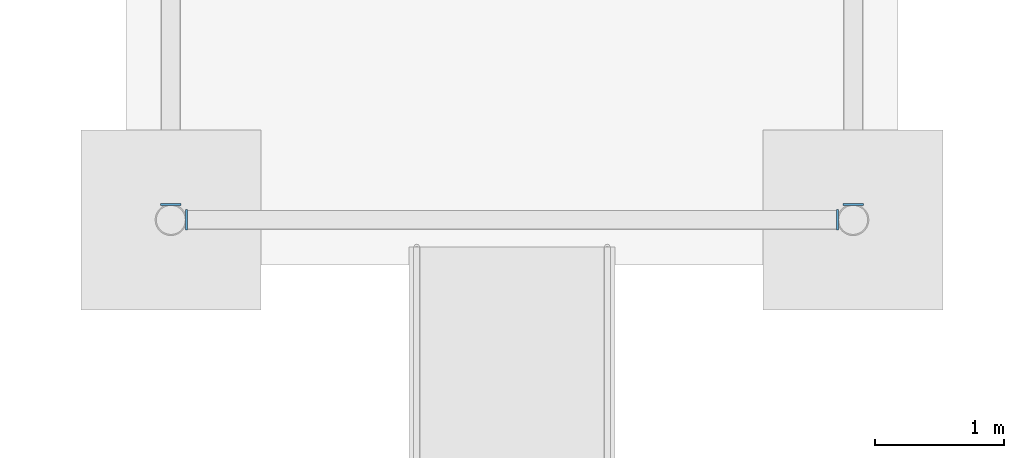
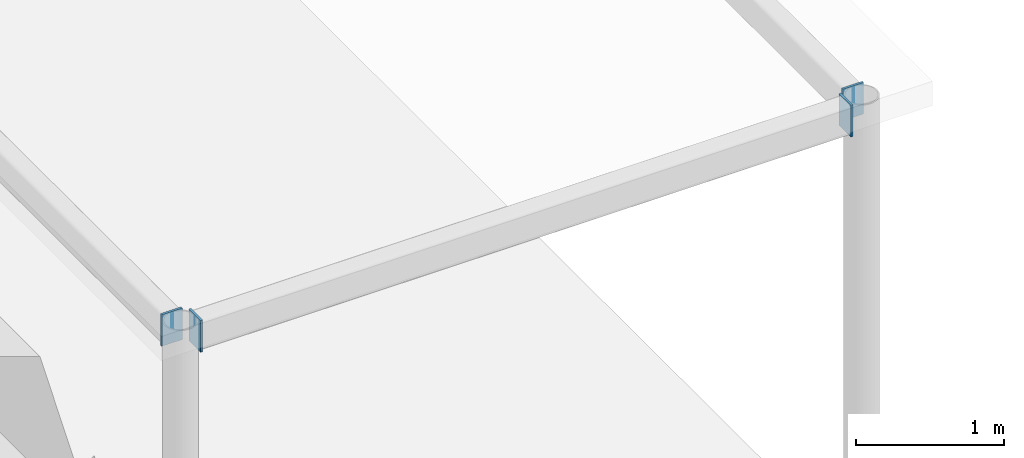
# One storey, part 38 of 76: 4 plates.
"""IFC4 building model written with IfcOpenShell, lengths in metres."""

from ifc_helpers import new_model, si_unit, direction, frame, origin, origin_2d, place, context, subcontext, project, spatial, rectangle, extrude, material, layer, layer_set, type_object, element, save


model = new_model("IFC4")

# Units and contexts
model_context = context("Model", 3, precision=1e-05, world=origin(), true_north=direction((0.0, 1.0)))
body_context = subcontext(model_context, "Body", "Model", "MODEL_VIEW")
ifc_project = project(units=[si_unit("LENGTHUNIT", "METRE"), si_unit("AREAUNIT", "SQUARE_METRE"), si_unit("VOLUMEUNIT", "CUBIC_METRE"), si_unit("PLANEANGLEUNIT", "RADIAN"), si_unit("MASSUNIT", "GRAM", prefix="KILO")], contexts=[model_context])

# Site, building, storey
site_placement = place(None, origin())
site = spatial("IfcSite", under=ifc_project, at=site_placement, CompositionType="ELEMENT")
building_placement = place(site_placement, origin())
building = spatial("IfcBuilding", under=site, at=building_placement, Name="Bozkorgan Art Gallery", CompositionType="ELEMENT")
storey_placement = place(building_placement, origin())
storey = spatial("IfcBuildingStorey", under=building, at=storey_placement, Name="L00", CompositionType="ELEMENT", Elevation=0.0)

# Plates
ifc_material = material(Name="Steel S355J2", Category="steel")
ifc_layer = layer(ifc_material, 0.01611328125, Name="Steel S355J2")
ifc_layer_set = layer_set([ifc_layer], Name="Steel S355J2")
plate_type = type_object("IfcPlateType", Name="PLATE-EC-14", PredefinedType="USERDEFINED", material=ifc_layer_set)
for number, where, z_axis, x_axis, name in (
    (1, (66.969970703125, 21.75, 4.044921875), (0.0, 0.0, 1.0), (1.0, 0.0, 0.0), "West Water-Court Covered Walk chord end cap 1.1"),
    (2, (72.030029296875, 21.75, 4.044921875), (0.0, 0.0, 1.0), (1.0, 0.0, 0.0), "West Water-Court Covered Walk chord end cap 1.2"),
    (3, (72.14990234375, 21.8701171875, 4.044921875), (0.0, 0.0, 1.0), (0.0, 1.0, 0.0), "West Water-Court Covered Walk chord end cap 2.1"),
    (4, (66.85009765625, 21.8701171875, 4.044921875), (0.0, 0.0, 1.0), (0.0, -1.0, 0.0), "West Water-Court Covered Walk chord end cap 4.2"),
):
    element("IfcPlate", number, at=place(storey_placement, frame(where, z_axis=z_axis, x_axis=x_axis)), inside=storey, type_object=plate_type, Name=name, ObjectType="END CAP PLATE", PredefinedType="USERDEFINED", context=body_context, shape_type="SweptSolid", body=[
        extrude(rectangle(XDim=0.01611328125, YDim=0.159912109375, at=origin_2d()), origin(), (0.0, 0.0, 1.0), 0.260009765625),
    ])

save(model, "model.ifc")
